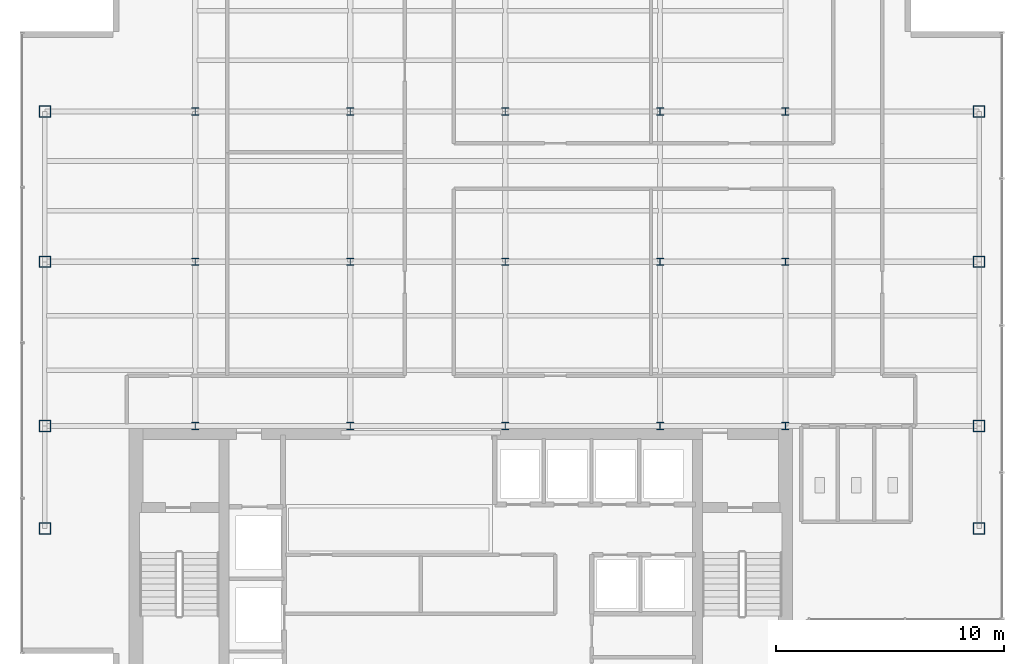
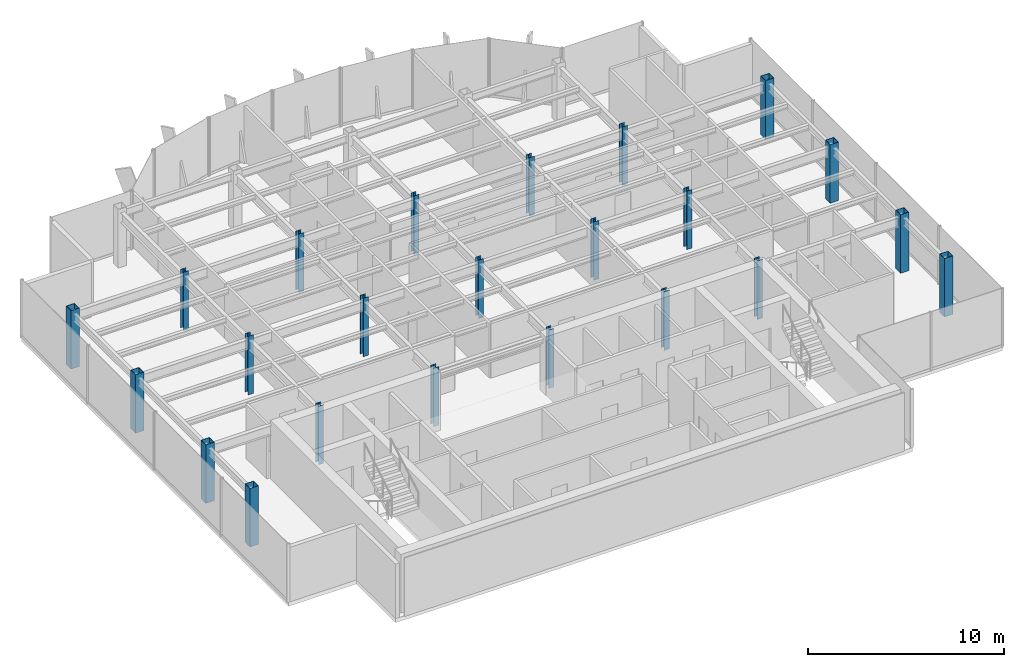
# One storey, part 1 of 22: 23 columns.
"""IFC4 building model written with IfcOpenShell, lengths in metres."""

from ifc_helpers import new_model, si_unit, derived_unit, direction, frame, origin, origin_2d, place, context, subcontext, project, spatial, hollow_rectangle, i_section, extrude, source, transform, mapped, material, material_profile, profile_set, type_object, element, save


model = new_model("IFC4")

# Units and contexts
model_context = context("Model", 3, precision=1e-05, world=origin(), true_north=direction((0.0, 1.0)))
body_context = subcontext(model_context, "Body", "Model", "MODEL_VIEW")
ifc_project = project(units=[si_unit("LENGTHUNIT", "METRE"), si_unit("AREAUNIT", "SQUARE_METRE"), si_unit("VOLUMEUNIT", "CUBIC_METRE"), si_unit("PLANEANGLEUNIT", "RADIAN"), si_unit("MASSUNIT", "GRAM", prefix="KILO"), derived_unit("THERMALTRANSMITTANCEUNIT", [(si_unit("POWERUNIT", "WATT"), 1), (si_unit("LENGTHUNIT", "METRE"), -2), (si_unit("THERMODYNAMICTEMPERATUREUNIT", "KELVIN"), -1)])], contexts=[model_context])

# Site, building, storey
site_placement = place(None, origin())
site = spatial("IfcSite", under=ifc_project, at=site_placement, CompositionType="ELEMENT")
building_placement = place(site_placement, origin())
building = spatial("IfcBuilding", under=site, at=building_placement, Name="Skarnbrae Concourse Arena and Tower", CompositionType="ELEMENT")
storey_placement = place(building_placement, frame((0.0, 0.0, 280.699951171875)))
storey = spatial("IfcBuildingStorey", under=building, at=storey_placement, Name="L73", CompositionType="ELEMENT", Elevation=280.699951171875)

# Columns
ifc_material = material(Name="Steel CSA G40.21 350W", Category="steel")
ifc_material_profile_1 = material_profile(ifc_material, hollow_rectangle(XDim=0.5, YDim=0.5, WallThickness=0.02197265625, at=origin_2d()), Name="HSS500X500X22.0")
ifc_profile_set_1 = profile_set([ifc_material_profile_1], Name="Steel CSA G40.21 350W")
column_type_1 = type_object("IfcColumnType", Name="COL-TUBE-HSS500", PredefinedType="COLUMN", material=ifc_profile_set_1)
shared_shape_1 = source(origin(), body_context, "Body", "SweptSolid", [
    extrude(hollow_rectangle(XDim=0.5, YDim=0.5, WallThickness=0.02197265625, at=origin_2d()), origin(), (0.0, 0.0, 1.0), 3.650146484375),
])
for number, where, z_axis, x_axis, name in (
    (1, (1.0, 9.5, 0.0), (0.0, 0.0, 1.0), (1.0, 0.0, 0.0), "L73 Tower column PC_01_01"),
    (2, (1.0, 14.0, 0.0), (0.0, 0.0, 1.0), (1.0, 0.0, 0.0), "L73 Tower column PC_01_02"),
    (3, (1.0, 21.199951171875, 0.0), (0.0, 0.0, 1.0), (1.0, 0.0, 0.0), "L73 Tower column PC_01_03"),
    (4, (1.0, 27.800048828125, 0.0), (0.0, 0.0, 1.0), (1.0, 0.0, 0.0), "L73 Tower column PC_01_04"),
    (5, (42.0, 9.5, 0.0), (0.0, 0.0, 1.0), (1.0, 0.0, 0.0), "L73 Tower column PC_07_01"),
    (6, (42.0, 14.0, 0.0), (0.0, 0.0, 1.0), (1.0, 0.0, 0.0), "L73 Tower column PC_07_02"),
    (7, (42.0, 21.199951171875, 0.0), (0.0, 0.0, 1.0), (1.0, 0.0, 0.0), "L73 Tower column PC_07_03"),
    (8, (42.0, 27.800048828125, 0.0), (0.0, 0.0, 1.0), (1.0, 0.0, 0.0), "L73 Tower column PC_07_04"),
):
    element("IfcColumn", number, at=place(storey_placement, frame(where, z_axis=z_axis, x_axis=x_axis)), inside=storey, type_object=column_type_1, Name=name, PredefinedType="COLUMN", context=body_context, shape_type="MappedRepresentation", body=[
        mapped(shared_shape_1, transform((0.0, 0.0, 0.0))),
    ])
ifc_material_profile_2 = material_profile(ifc_material, i_section(OverallWidth=0.30908203125, OverallDepth=0.322998046875, WebThickness=0.013916015625, FlangeThickness=0.02294921875, at=origin_2d()), Name="W310X143")
ifc_profile_set_2 = profile_set([ifc_material_profile_2], Name="Steel CSA G40.21 350W")
column_type_2 = type_object("IfcColumnType", Name="COL-INT-W310X143", PredefinedType="COLUMN", material=ifc_profile_set_2)
shared_shape_2 = source(origin(), body_context, "Body", "SweptSolid", [
    extrude(i_section(OverallWidth=0.30908203125, OverallDepth=0.322998046875, WebThickness=0.013916015625, FlangeThickness=0.02294921875, at=origin_2d()), origin(), (0.0, 0.0, 1.0), 3.650146484375),
])
for number, where, z_axis, x_axis, name in (
    (9, (7.60009765625, 14.0, 0.0), (0.0, 0.0, 1.0), (1.0, 0.0, 0.0), "L73 Tower column IC_02_02"),
    (10, (7.60009765625, 21.199951171875, 0.0), (0.0, 0.0, 1.0), (1.0, 0.0, 0.0), "L73 Tower column IC_02_03"),
    (11, (7.60009765625, 27.800048828125, 0.0), (0.0, 0.0, 1.0), (1.0, 0.0, 0.0), "L73 Tower column IC_02_04"),
    (12, (14.39990234375, 14.0, 0.0), (0.0, 0.0, 1.0), (1.0, 0.0, 0.0), "L73 Tower column IC_03_02"),
    (13, (14.39990234375, 21.199951171875, 0.0), (0.0, 0.0, 1.0), (1.0, 0.0, 0.0), "L73 Tower column IC_03_03"),
    (14, (14.39990234375, 27.800048828125, 0.0), (0.0, 0.0, 1.0), (1.0, 0.0, 0.0), "L73 Tower column IC_03_04"),
    (15, (21.199951171875, 14.0, 0.0), (0.0, 0.0, 1.0), (1.0, 0.0, 0.0), "L73 Tower column IC_04_02"),
    (16, (21.199951171875, 21.199951171875, 0.0), (0.0, 0.0, 1.0), (1.0, 0.0, 0.0), "L73 Tower column IC_04_03"),
    (17, (21.199951171875, 27.800048828125, 0.0), (0.0, 0.0, 1.0), (1.0, 0.0, 0.0), "L73 Tower column IC_04_04"),
    (18, (28.0, 14.0, 0.0), (0.0, 0.0, 1.0), (1.0, 0.0, 0.0), "L73 Tower column IC_05_02"),
    (19, (28.0, 21.199951171875, 0.0), (0.0, 0.0, 1.0), (1.0, 0.0, 0.0), "L73 Tower column IC_05_03"),
    (20, (28.0, 27.800048828125, 0.0), (0.0, 0.0, 1.0), (1.0, 0.0, 0.0), "L73 Tower column IC_05_04"),
    (21, (33.5, 14.0, 0.0), (0.0, 0.0, 1.0), (1.0, 0.0, 0.0), "L73 Tower column IC_06_02"),
    (22, (33.5, 21.199951171875, 0.0), (0.0, 0.0, 1.0), (1.0, 0.0, 0.0), "L73 Tower column IC_06_03"),
    (23, (33.5, 27.800048828125, 0.0), (0.0, 0.0, 1.0), (1.0, 0.0, 0.0), "L73 Tower column IC_06_04"),
):
    element("IfcColumn", number, at=place(storey_placement, frame(where, z_axis=z_axis, x_axis=x_axis)), inside=storey, type_object=column_type_2, Name=name, PredefinedType="COLUMN", context=body_context, shape_type="MappedRepresentation", body=[
        mapped(shared_shape_2, transform((0.0, 0.0, 0.0))),
    ])

save(model, "model.ifc")
